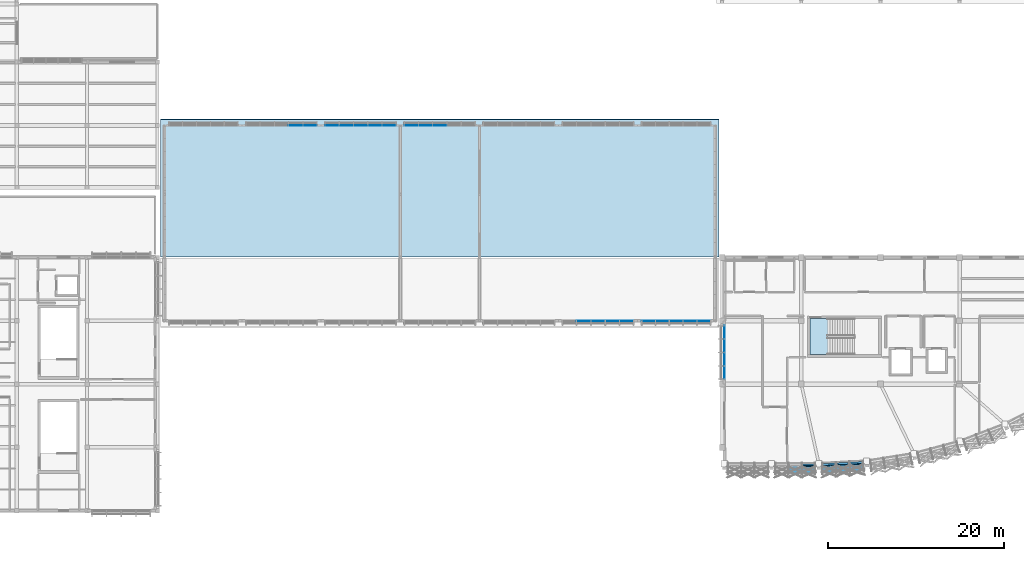
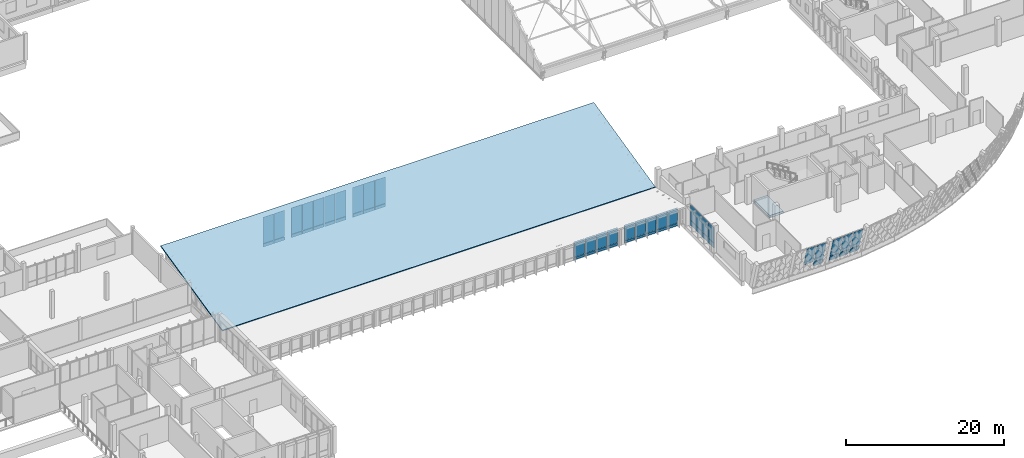
# One storey, part 148 of 182: 55 plates, 2 slabs, 8 elements without a shape of their own.
"""IFC4 building model written with IfcOpenShell, lengths in metres."""

from ifc_helpers import new_model, si_unit, direction, frame, origin, origin_2d, place, context, subcontext, project, spatial, polyline, rectangle, outline, extrude, material, layer, layer_set, type_object, element, aggregate, save


model = new_model("IFC4")

# Units and contexts
model_context = context("Model", 3, precision=1e-05, world=origin(), true_north=direction((0.0, 1.0)))
body_context = subcontext(model_context, "Body", "Model", "MODEL_VIEW")
ifc_project = project(units=[si_unit("LENGTHUNIT", "METRE"), si_unit("AREAUNIT", "SQUARE_METRE"), si_unit("VOLUMEUNIT", "CUBIC_METRE"), si_unit("PLANEANGLEUNIT", "RADIAN"), si_unit("MASSUNIT", "GRAM", prefix="KILO")], contexts=[model_context])

# Site, building, storey
site_placement = place(None, origin())
site = spatial("IfcSite", under=ifc_project, at=site_placement, CompositionType="ELEMENT")
building_placement = place(site_placement, origin())
building = spatial("IfcBuilding", under=site, at=building_placement, Name="Chiffa Square Polytechnic", CompositionType="ELEMENT")
storey_placement = place(building_placement, frame((0.0, 0.0, 9.60009765625)))
storey = spatial("IfcBuildingStorey", under=building, at=storey_placement, Name="L02", CompositionType="ELEMENT", Elevation=9.60009765625)

# Curtain wall, plates
ifc_material_1 = material(Name="Aluminium EN AW-6060 T66 and glulam shading", Category="wood")
curtain_wall_type_1 = type_object("IfcCurtainWallType", Name="CW-VERT-600X380", PredefinedType="USERDEFINED", material=ifc_material_1)
curtain_wall_1_placement = place(storey_placement, origin())
curtain_wall_1 = element("IfcCurtainWall", 1, at=curtain_wall_1_placement, inside=storey, type_object=curtain_wall_type_1, Name="Curtain wall CW-V1-L02-132", ObjectType="CURTAIN WALL", PredefinedType="USERDEFINED")
ifc_material_2 = material(Name="Double glazing", Category="glass")
ifc_layer_1 = layer(ifc_material_2, 0.0439453125, Name="Double glazing")
ifc_layer_set_1 = layer_set([ifc_layer_1], Name="Double glazing")
plate_type_1 = type_object("IfcPlateType", Name="CWP-GLZ-134X118", PredefinedType="CURTAIN_PANEL", material=ifc_layer_set_1)
plate_1_placement = place(storey_placement, frame((112.449951171875, 20.283935546875, 0.84033203125), z_axis=(0.0, 0.0, 1.0), x_axis=(0.0, -1.0, 0.0)))
plate_1 = element("IfcPlate", 2, at=plate_1_placement, type_object=plate_type_1, Name="Glazed curtain panel CW-V1-L02-132-PN01", PredefinedType="CURTAIN_PANEL", context=body_context, shape_type="SweptSolid", body=[
    extrude(rectangle(XDim=1.4560546875, YDim=0.0439453125, at=origin_2d()), origin(), (0.0, 0.0, 1.0), 2.385009765625),
])
plate_2_placement = place(storey_placement, frame((112.449951171875, 18.764892578125, 0.84033203125), z_axis=(0.0, 0.0, 1.0), x_axis=(0.0, -1.0, 0.0)))
plate_2 = element("IfcPlate", 3, at=plate_2_placement, type_object=plate_type_1, Name="Glazed curtain panel CW-V1-L02-132-PN02", PredefinedType="CURTAIN_PANEL", context=body_context, shape_type="SweptSolid", body=[
    extrude(rectangle(XDim=1.47802734375, YDim=0.0439453125, at=origin_2d()), origin(), (0.0, 0.0, 1.0), 2.385009765625),
])
plate_3_placement = place(storey_placement, frame((112.449951171875, 17.235107421875, 0.84033203125), z_axis=(0.0, 0.0, 1.0), x_axis=(0.0, -1.0, 0.0)))
plate_3 = element("IfcPlate", 4, at=plate_3_placement, type_object=plate_type_1, Name="Glazed curtain panel CW-V1-L02-132-PN03", PredefinedType="CURTAIN_PANEL", context=body_context, shape_type="SweptSolid", body=[
    extrude(rectangle(XDim=1.47802734375, YDim=0.0439453125, at=origin_2d()), origin(), (0.0, 0.0, 1.0), 2.385009765625),
])
plate_4_placement = place(storey_placement, frame((112.449951171875, 15.716064453125, 0.84033203125), z_axis=(0.0, 0.0, 1.0), x_axis=(0.0, -1.0, 0.0)))
plate_4 = element("IfcPlate", 5, at=plate_4_placement, type_object=plate_type_1, Name="Glazed curtain panel CW-V1-L02-132-PN04", PredefinedType="CURTAIN_PANEL", context=body_context, shape_type="SweptSolid", body=[
    extrude(rectangle(XDim=1.4560546875, YDim=0.0439453125, at=origin_2d()), origin(), (0.0, 0.0, 1.0), 2.385009765625),
])

curtain_wall_type_2 = type_object("IfcCurtainWallType", Name="CW-PROW-LEAN-150", PredefinedType="USERDEFINED", material=ifc_material_1)
curtain_wall_2_placement = place(storey_placement, origin())
curtain_wall_2 = element("IfcCurtainWall", 6, at=curtain_wall_2_placement, inside=storey, type_object=curtain_wall_type_2, Name="Outward-leaning diamond-fin prow curtain wall CW-V1-L02-029", ObjectType="CURTAIN WALL", PredefinedType="USERDEFINED")
ifc_layer_2 = layer(ifc_material_2, 0.0380859375, Name="Double glazing")
ifc_layer_set_2 = layer_set([ifc_layer_2], Name="Double glazing")
plate_type_2 = type_object("IfcPlateType", Name="CWP-GLZ-146X138", PredefinedType="CURTAIN_PANEL", material=ifc_layer_set_2)
plate_5_placement = place(storey_placement, frame((123.68408203125, 5.12744140625, 0.8779296875), z_axis=(-0.050174829596, 0.960990760673, 0.271991257905), x_axis=(0.998639459823, 0.052146225941, -2.0135237e-05)))
plate_5 = element("IfcPlate", 7, at=plate_5_placement, type_object=plate_type_2, Name="Leaning prow curtain panel CW-V1-L02-029-PN01", PredefinedType="CURTAIN_PANEL", context=body_context, shape_type="SweptSolid", body=[
    extrude(outline(polyline([(0.0, 0.0), (1.4260177168107815, 0.0), (1.410269670917388, -3.135320701511705), (-0.04336205714575059, -3.1352604474957646), (0.0, 0.0)])), origin(), (0.0, 0.0, -1.0), 0.0380859375),
])
plate_6_placement = place(storey_placement, frame((125.218505859375, 5.20751953125, 0.8779296875), z_axis=(-0.050256330617, 0.960989153149, 0.271981890504), x_axis=(0.998635368574, 0.052224521331, 2.024848e-06)))
plate_6 = element("IfcPlate", 8, at=plate_6_placement, type_object=plate_type_2, Name="Leaning prow curtain panel CW-V1-L02-029-PN02", PredefinedType="CURTAIN_PANEL", context=body_context, shape_type="SweptSolid", body=[
    extrude(outline(polyline([(0.0, 0.0), (1.426017720678759, -3.469446951953614e-18), (1.4401034273901945, -3.135279535766211), (-0.013541037374718968, -3.1352855950651453), (0.0, 0.0)])), origin(), (0.0, 0.0, -1.0), 0.0380859375),
])
plate_7_placement = place(storey_placement, frame((126.7529296875, 5.28759765625, 0.8779296875), z_axis=(-0.05017932611, 0.960995289314, 0.271974427378), x_axis=(0.998639211853, 0.052150974065, -2.1317194e-05)))
plate_7 = element("IfcPlate", 9, at=plate_7_placement, type_object=plate_type_2, Name="Leaning prow curtain panel CW-V1-L02-029-PN03", PredefinedType="CURTAIN_PANEL", context=body_context, shape_type="SweptSolid", body=[
    extrude(outline(polyline([(0.0, 0.0), (1.4257739088414023, 6.938893903907228e-18), (1.4699168183265212, -3.1353082563147665), (0.016285090876348336, -3.135244471048417), (0.0, 0.0)])), origin(), (0.0, 0.0, -1.0), 0.0380859375),
])

curtain_wall_type_3 = type_object("IfcCurtainWallType", Name="CW-PROW-LEAN-300", PredefinedType="USERDEFINED", material=ifc_material_1)
curtain_wall_3_placement = place(storey_placement, origin())
curtain_wall_3 = element("IfcCurtainWall", 10, at=curtain_wall_3_placement, inside=storey, type_object=curtain_wall_type_3, Name="Outward-leaning diamond-fin prow curtain wall CW-V1-L02-028", ObjectType="CURTAIN WALL", PredefinedType="USERDEFINED")
ifc_layer_3 = layer(ifc_material_2, 0.0380859375, Name="Double glazing")
ifc_layer_set_3 = layer_set([ifc_layer_3], Name="Double glazing")
plate_type_3 = type_object("IfcPlateType", Name="CWP-GLZ-148X142", PredefinedType="CURTAIN_PANEL", material=ifc_layer_set_3)
plate_8_placement = place(storey_placement, frame((119.814208984375, 5.1015625, 0.8779296875), z_axis=(0.0, 0.96221720847, 0.272283021364), x_axis=(1.0, 0.0, 0.0)))
plate_8 = element("IfcPlate", 11, at=plate_8_placement, type_object=plate_type_3, Name="Leaning prow curtain panel CW-V1-L02-028-PN02", PredefinedType="CURTAIN_PANEL", context=body_context, shape_type="SweptSolid", body=[
    extrude(outline(polyline([(0.0, 0.0), (1.396484375, 0.0), (1.396484375, -3.135560055661421), (0.0, -3.135560055661421), (0.0, 0.0)])), origin(), (0.0, 0.0, -1.0), 0.0380859375),
])
plate_9_placement = place(storey_placement, frame((121.319091796875, 5.1015625, 0.8779296875), z_axis=(0.0, 0.96221720847, 0.272283021364), x_axis=(1.0, 0.0, 0.0)))
plate_9 = element("IfcPlate", 12, at=plate_9_placement, type_object=plate_type_3, Name="Leaning prow curtain panel CW-V1-L02-028-PN03", PredefinedType="CURTAIN_PANEL", context=body_context, shape_type="SweptSolid", body=[
    extrude(outline(polyline([(0.0, 0.0), (1.396728515625, 0.0), (1.396728515625, -3.1355600556614216), (0.0, -3.1355600556614216), (0.0, 0.0)])), origin(), (0.0, 0.0, -1.0), 0.0380859375),
])

curtain_wall_type_4 = type_object("IfcCurtainWallType", Name="CW-VERT-300X380", PredefinedType="USERDEFINED", material=ifc_material_1)
curtain_wall_4_placement = place(storey_placement, origin())
curtain_wall_4 = element("IfcCurtainWall", 13, at=curtain_wall_4_placement, inside=storey, type_object=curtain_wall_type_4, Name="Curtain wall CW-V4-CLRN-02", ObjectType="CURTAIN WALL", PredefinedType="USERDEFINED")
ifc_layer_4 = layer(ifc_material_2, 0.035888671875, Name="Double glazing")
ifc_layer_set_4 = layer_set([ifc_layer_4], Name="Double glazing")
plate_type_4 = type_object("IfcPlateType", Name="CWP-GLZ-150X145", PredefinedType="CURTAIN_PANEL", material=ifc_layer_set_4)
plate_10_placement = place(storey_placement, frame((65.3369140625, 43.800048828125, 0.6103515625), z_axis=(0.0, 0.0, 1.0), x_axis=(-1.0, 0.0, 0.0)))
plate_10 = element("IfcPlate", 14, at=plate_10_placement, type_object=plate_type_4, Name="Glazed curtain panel CW-V4-CLRN-02-PN01", PredefinedType="CURTAIN_PANEL", context=body_context, shape_type="SweptSolid", body=[
    extrude(rectangle(XDim=1.550048828125, YDim=0.035888671875, at=origin_2d()), origin(), (0.0, 0.0, 1.0), 4.0830078125),
])
plate_11_placement = place(storey_placement, frame((63.72412109375, 43.800048828125, 0.6103515625), z_axis=(0.0, 0.0, 1.0), x_axis=(-1.0, 0.0, 0.0)))
plate_11 = element("IfcPlate", 15, at=plate_11_placement, type_object=plate_type_4, Name="Glazed curtain panel CW-V4-CLRN-02-PN02", PredefinedType="CURTAIN_PANEL", context=body_context, shape_type="SweptSolid", body=[
    extrude(rectangle(XDim=1.572021484375, YDim=0.035888671875, at=origin_2d()), origin(), (0.0, 0.0, 1.0), 4.0830078125),
])

curtain_wall_5_placement = place(storey_placement, origin())
curtain_wall_5 = element("IfcCurtainWall", 16, at=curtain_wall_5_placement, inside=storey, type_object=curtain_wall_type_1, Name="Curtain wall CW-V4-CLRN-03", ObjectType="CURTAIN WALL", PredefinedType="USERDEFINED")
plate_12_placement = place(storey_placement, frame((74.3369140625, 43.800048828125, 0.6103515625), z_axis=(0.0, 0.0, 1.0), x_axis=(-1.0, 0.0, 0.0)))
plate_12 = element("IfcPlate", 17, at=plate_12_placement, type_object=plate_type_4, Name="Glazed curtain panel CW-V4-CLRN-03-PN01", PredefinedType="CURTAIN_PANEL", context=body_context, shape_type="SweptSolid", body=[
    extrude(rectangle(XDim=1.550048828125, YDim=0.035888671875, at=origin_2d()), origin(), (0.0, 0.0, 1.0), 4.0830078125),
])
plate_13_placement = place(storey_placement, frame((72.72412109375, 43.800048828125, 0.6103515625), z_axis=(0.0, 0.0, 1.0), x_axis=(-1.0, 0.0, 0.0)))
plate_13 = element("IfcPlate", 18, at=plate_13_placement, type_object=plate_type_4, Name="Glazed curtain panel CW-V4-CLRN-03-PN02", PredefinedType="CURTAIN_PANEL", context=body_context, shape_type="SweptSolid", body=[
    extrude(rectangle(XDim=1.572021484375, YDim=0.035888671875, at=origin_2d()), origin(), (0.0, 0.0, 1.0), 4.0830078125),
])
plate_14_placement = place(storey_placement, frame((71.10009765625, 43.800048828125, 0.6103515625), z_axis=(0.0, 0.0, 1.0), x_axis=(-1.0, 0.0, 0.0)))
plate_14 = element("IfcPlate", 19, at=plate_14_placement, type_object=plate_type_4, Name="Glazed curtain panel CW-V4-CLRN-03-PN03", PredefinedType="CURTAIN_PANEL", context=body_context, shape_type="SweptSolid", body=[
    extrude(rectangle(XDim=1.572021484375, YDim=0.035888671875, at=origin_2d()), origin(), (0.0, 0.0, 1.0), 4.0830078125),
])
plate_15_placement = place(storey_placement, frame((69.47607421875, 43.800048828125, 0.6103515625), z_axis=(0.0, 0.0, 1.0), x_axis=(-1.0, 0.0, 0.0)))
plate_15 = element("IfcPlate", 20, at=plate_15_placement, type_object=plate_type_4, Name="Glazed curtain panel CW-V4-CLRN-03-PN04", PredefinedType="CURTAIN_PANEL", context=body_context, shape_type="SweptSolid", body=[
    extrude(rectangle(XDim=1.572021484375, YDim=0.035888671875, at=origin_2d()), origin(), (0.0, 0.0, 1.0), 4.0830078125),
])
plate_16_placement = place(storey_placement, frame((67.863037109375, 43.800048828125, 0.6103515625), z_axis=(0.0, 0.0, 1.0), x_axis=(-1.0, 0.0, 0.0)))
plate_16 = element("IfcPlate", 21, at=plate_16_placement, type_object=plate_type_4, Name="Glazed curtain panel CW-V4-CLRN-03-PN05", PredefinedType="CURTAIN_PANEL", context=body_context, shape_type="SweptSolid", body=[
    extrude(rectangle(XDim=1.550048828125, YDim=0.035888671875, at=origin_2d()), origin(), (0.0, 0.0, 1.0), 4.0830078125),
])

curtain_wall_type_5 = type_object("IfcCurtainWallType", Name="CW-VERT-360X380", PredefinedType="USERDEFINED", material=ifc_material_1)
curtain_wall_6_placement = place(storey_placement, origin())
curtain_wall_6 = element("IfcCurtainWall", 22, at=curtain_wall_6_placement, inside=storey, type_object=curtain_wall_type_5, Name="Curtain wall CW-V4-CLRN-04", ObjectType="CURTAIN WALL", PredefinedType="USERDEFINED")
plate_17_placement = place(storey_placement, frame((80.10009765625, 43.800048828125, 0.6103515625), z_axis=(0.0, 0.0, 1.0), x_axis=(-1.0, 0.0, 0.0)))
plate_17 = element("IfcPlate", 23, at=plate_17_placement, type_object=plate_type_4, Name="Glazed curtain panel CW-V4-CLRN-04-PN03", PredefinedType="CURTAIN_PANEL", context=body_context, shape_type="SweptSolid", body=[
    extrude(rectangle(XDim=1.572021484375, YDim=0.035888671875, at=origin_2d()), origin(), (0.0, 0.0, 1.0), 4.0830078125),
])
plate_18_placement = place(storey_placement, frame((78.47607421875, 43.800048828125, 0.6103515625), z_axis=(0.0, 0.0, 1.0), x_axis=(-1.0, 0.0, 0.0)))
plate_18 = element("IfcPlate", 24, at=plate_18_placement, type_object=plate_type_4, Name="Glazed curtain panel CW-V4-CLRN-04-PN04", PredefinedType="CURTAIN_PANEL", context=body_context, shape_type="SweptSolid", body=[
    extrude(rectangle(XDim=1.572021484375, YDim=0.035888671875, at=origin_2d()), origin(), (0.0, 0.0, 1.0), 4.0830078125),
])
plate_19_placement = place(storey_placement, frame((76.863037109375, 43.800048828125, 0.6103515625), z_axis=(0.0, 0.0, 1.0), x_axis=(-1.0, 0.0, 0.0)))
plate_19 = element("IfcPlate", 25, at=plate_19_placement, type_object=plate_type_4, Name="Glazed curtain panel CW-V4-CLRN-04-PN05", PredefinedType="CURTAIN_PANEL", context=body_context, shape_type="SweptSolid", body=[
    extrude(rectangle(XDim=1.550048828125, YDim=0.035888671875, at=origin_2d()), origin(), (0.0, 0.0, 1.0), 4.0830078125),
])

curtain_wall_type_6 = type_object("IfcCurtainWallType", Name="CW-VERT-480X380", PredefinedType="USERDEFINED", material=ifc_material_1)
curtain_wall_7_placement = place(storey_placement, origin())
curtain_wall_7 = element("IfcCurtainWall", 26, at=curtain_wall_7_placement, inside=storey, type_object=curtain_wall_type_6, Name="Curtain wall CW-V4-CLRS-06", ObjectType="CURTAIN WALL", PredefinedType="USERDEFINED")
plate_20_placement = place(storey_placement, frame((96.47607421875, 21.60009765625, 0.509765625), z_axis=(0.0, 0.0, 1.0), x_axis=(1.0, 0.0, 0.0)))
plate_20 = element("IfcPlate", 27, at=plate_20_placement, type_object=plate_type_4, Name="Glazed curtain panel CW-V4-CLRS-06-PN02", PredefinedType="CURTAIN_PANEL", context=body_context, shape_type="SweptSolid", body=[
    extrude(rectangle(XDim=1.572021484375, YDim=0.035888671875, at=origin_2d()), origin(), (0.0, 0.0, 1.0), 2.382080078125),
])
plate_21_placement = place(storey_placement, frame((98.10009765625, 21.60009765625, 0.509765625), z_axis=(0.0, 0.0, 1.0), x_axis=(1.0, 0.0, 0.0)))
plate_21 = element("IfcPlate", 28, at=plate_21_placement, type_object=plate_type_4, Name="Glazed curtain panel CW-V4-CLRS-06-PN03", PredefinedType="CURTAIN_PANEL", context=body_context, shape_type="SweptSolid", body=[
    extrude(rectangle(XDim=1.572021484375, YDim=0.035888671875, at=origin_2d()), origin(), (0.0, 0.0, 1.0), 2.382080078125),
])
plate_22_placement = place(storey_placement, frame((99.72412109375, 21.60009765625, 0.509765625), z_axis=(0.0, 0.0, 1.0), x_axis=(1.0, 0.0, 0.0)))
plate_22 = element("IfcPlate", 29, at=plate_22_placement, type_object=plate_type_4, Name="Glazed curtain panel CW-V4-CLRS-06-PN04", PredefinedType="CURTAIN_PANEL", context=body_context, shape_type="SweptSolid", body=[
    extrude(rectangle(XDim=1.572021484375, YDim=0.035888671875, at=origin_2d()), origin(), (0.0, 0.0, 1.0), 2.382080078125),
])
plate_23_placement = place(storey_placement, frame((101.3369140625, 21.60009765625, 0.509765625), z_axis=(0.0, 0.0, 1.0), x_axis=(1.0, 0.0, 0.0)))
plate_23 = element("IfcPlate", 30, at=plate_23_placement, type_object=plate_type_4, Name="Glazed curtain panel CW-V4-CLRS-06-PN05", PredefinedType="CURTAIN_PANEL", context=body_context, shape_type="SweptSolid", body=[
    extrude(rectangle(XDim=1.550048828125, YDim=0.035888671875, at=origin_2d()), origin(), (0.0, 0.0, 1.0), 2.382080078125),
])

curtain_wall_type_7 = type_object("IfcCurtainWallType", Name="CW-VERT-540X440", PredefinedType="USERDEFINED", material=ifc_material_1)
curtain_wall_8_placement = place(storey_placement, origin())
curtain_wall_8 = element("IfcCurtainWall", 31, at=curtain_wall_8_placement, inside=storey, type_object=curtain_wall_type_7, Name="Curtain wall CW-V4-CLRS-07", ObjectType="CURTAIN WALL", PredefinedType="USERDEFINED")
plate_24_placement = place(storey_placement, frame((103.837890625, 21.60009765625, 0.509765625), z_axis=(0.0, 0.0, 1.0), x_axis=(1.0, 0.0, 0.0)))
plate_24 = element("IfcPlate", 32, at=plate_24_placement, type_object=plate_type_4, Name="Glazed curtain panel CW-V4-CLRS-07-PN01", PredefinedType="CURTAIN_PANEL", context=body_context, shape_type="SweptSolid", body=[
    extrude(rectangle(XDim=1.5, YDim=0.035888671875, at=origin_2d()), origin(), (0.0, 0.0, 1.0), 2.382080078125),
])
plate_25_placement = place(storey_placement, frame((105.40087890625, 21.60009765625, 0.509765625), z_axis=(0.0, 0.0, 1.0), x_axis=(1.0, 0.0, 0.0)))
plate_25 = element("IfcPlate", 33, at=plate_25_placement, type_object=plate_type_4, Name="Glazed curtain panel CW-V4-CLRS-07-PN02", PredefinedType="CURTAIN_PANEL", context=body_context, shape_type="SweptSolid", body=[
    extrude(rectangle(XDim=1.52197265625, YDim=0.035888671875, at=origin_2d()), origin(), (0.0, 0.0, 1.0), 2.382080078125),
])
plate_26_placement = place(storey_placement, frame((106.97509765625, 21.60009765625, 0.509765625), z_axis=(0.0, 0.0, 1.0), x_axis=(1.0, 0.0, 0.0)))
plate_26 = element("IfcPlate", 34, at=plate_26_placement, type_object=plate_type_4, Name="Glazed curtain panel CW-V4-CLRS-07-PN03", PredefinedType="CURTAIN_PANEL", context=body_context, shape_type="SweptSolid", body=[
    extrude(rectangle(XDim=1.52197265625, YDim=0.035888671875, at=origin_2d()), origin(), (0.0, 0.0, 1.0), 2.382080078125),
])
plate_27_placement = place(storey_placement, frame((108.549072265625, 21.60009765625, 0.509765625), z_axis=(0.0, 0.0, 1.0), x_axis=(1.0, 0.0, 0.0)))
plate_27 = element("IfcPlate", 35, at=plate_27_placement, type_object=plate_type_4, Name="Glazed curtain panel CW-V4-CLRS-07-PN04", PredefinedType="CURTAIN_PANEL", context=body_context, shape_type="SweptSolid", body=[
    extrude(rectangle(XDim=1.52197265625, YDim=0.035888671875, at=origin_2d()), origin(), (0.0, 0.0, 1.0), 2.382080078125),
])
plate_28_placement = place(storey_placement, frame((110.112060546875, 21.60009765625, 0.509765625), z_axis=(0.0, 0.0, 1.0), x_axis=(1.0, 0.0, 0.0)))
plate_28 = element("IfcPlate", 36, at=plate_28_placement, type_object=plate_type_4, Name="Glazed curtain panel CW-V4-CLRS-07-PN05", PredefinedType="CURTAIN_PANEL", context=body_context, shape_type="SweptSolid", body=[
    extrude(rectangle(XDim=1.5, YDim=0.035888671875, at=origin_2d()), origin(), (0.0, 0.0, 1.0), 2.382080078125),
])

# Plate
ifc_material_3 = material(Name="Aluminium insulated spandrel", Category="aluminium")
ifc_layer_5 = layer(ifc_material_3, 0.072021484375, Name="Aluminium insulated spandrel")
ifc_layer_set_5 = layer_set([ifc_layer_5], Name="Aluminium insulated spandrel")
plate_type_5 = type_object("IfcPlateType", Name="CWP-SPN-136X072", PredefinedType="SHEET", material=ifc_layer_set_5)
plate_29_placement = place(storey_placement, frame((123.683837890625, 5.36181640625, 0.0498046875), z_axis=(-0.050147622769, 0.960983769439, 0.272020974937), x_axis=(0.998641021273, 0.052116316718, -1.2724287e-05)))
plate_29 = element("IfcPlate", 37, at=plate_29_placement, type_object=plate_type_5, Name="Leaning prow curtain panel CW-V1-L02-029-SP01", PredefinedType="SHEET", context=body_context, shape_type="SweptSolid", body=[
    extrude(outline(polyline([(0.0, 0.0), (1.4181903829033562, -3.469446951953614e-18), (1.4143636342692705, -0.8024958510206233), (-0.011153737636751072, -0.802458248943627), (0.0, 0.0)])), origin(), (0.0, 0.0, -1.0), 0.072021484375),
])

plate_30_placement = place(storey_placement, frame((125.210205078125, 5.44140625, 0.0498046875), z_axis=(-0.050153615054, 0.961015974784, 0.271906070375), x_axis=(0.998640805488, 0.052120451661, -1.1548558e-05)))
plate_30 = element("IfcPlate", 38, at=plate_30_placement, type_object=plate_type_5, Name="Leaning prow curtain panel CW-V1-L02-029-SP02", PredefinedType="SHEET", context=body_context, shape_type="SweptSolid", body=[
    extrude(outline(polyline([(0.0, 0.0), (1.418190383175757, 3.469446951953614e-18), (1.4217033514773456, -0.8024671306447446), (-0.0035702113397216638, -0.8024330070893471), (0.0, 0.0)])), origin(), (0.0, 0.0, -1.0), 0.072021484375),
])

plate_31_placement = place(storey_placement, frame((126.736328125, 5.52099609375, 0.0498046875), z_axis=(-0.050231100546, 0.961000265711, 0.271947285043), x_axis=(0.998636216207, 0.052208298526, -3.5273641e-05)))
plate_31 = element("IfcPlate", 39, at=plate_31_placement, type_object=plate_type_5, Name="Leaning prow curtain panel CW-V1-L02-029-SP03", PredefinedType="SHEET", context=body_context, shape_type="SweptSolid", body=[
    extrude(outline(polyline([(0.0, 0.0), (1.418203128166584, -3.469446951953614e-18), (1.4294931681062972, -0.8025121794137333), (0.003975809840539255, -0.8024079425752112), (0.0, 0.0)])), origin(), (0.0, 0.0, -1.0), 0.072021484375),
])

aggregate(curtain_wall_2, [plate_29, plate_5, plate_30, plate_6, plate_31, plate_7])

ifc_layer_6 = layer(ifc_material_3, 0.070068359375, Name="Aluminium insulated spandrel")
ifc_layer_set_6 = layer_set([ifc_layer_6], Name="Aluminium insulated spandrel")
plate_type_6 = type_object("IfcPlateType", Name="CWP-SPN-138X074", PredefinedType="SHEET", material=ifc_layer_set_6)
plate_32_placement = place(storey_placement, frame((121.319091796875, 5.3359375, 0.0498046875), z_axis=(0.0, 0.962221084479, 0.27226932362), x_axis=(1.0, 0.0, 0.0)))
plate_32 = element("IfcPlate", 40, at=plate_32_placement, type_object=plate_type_6, Name="Leaning prow curtain panel CW-V1-L02-028-SP03", PredefinedType="SHEET", context=body_context, shape_type="SweptSolid", body=[
    extrude(outline(polyline([(0.0, 0.0), (1.396728515625, 0.0), (1.396728515625, -0.8025357262808257), (0.0, -0.8025357262808257), (0.0, 0.0)])), origin(), (0.0, 0.0, -1.0), 0.070068359375),
])

aggregate(curtain_wall_3, [plate_8, plate_32, plate_9])

plate_33_placement = place(storey_placement, frame((112.449951171875, 20.283935546875, 0.0498046875), z_axis=(0.0, 0.0, 1.0), x_axis=(0.0, -1.0, 0.0)))
plate_33 = element("IfcPlate", 41, at=plate_33_placement, type_object=plate_type_6, Name="Spandrel panel CW-V1-L02-132-SP01", PredefinedType="SHEET", context=body_context, shape_type="SweptSolid", body=[
    extrude(rectangle(XDim=1.4560546875, YDim=0.070068359375, at=origin_2d()), origin(), (0.0, 0.0, 1.0), 0.75),
])

plate_34_placement = place(storey_placement, frame((112.449951171875, 18.764892578125, 0.0498046875), z_axis=(0.0, 0.0, 1.0), x_axis=(0.0, -1.0, 0.0)))
plate_34 = element("IfcPlate", 42, at=plate_34_placement, type_object=plate_type_6, Name="Spandrel panel CW-V1-L02-132-SP02", PredefinedType="SHEET", context=body_context, shape_type="SweptSolid", body=[
    extrude(rectangle(XDim=1.47802734375, YDim=0.070068359375, at=origin_2d()), origin(), (0.0, 0.0, 1.0), 0.75),
])

plate_35_placement = place(storey_placement, frame((112.449951171875, 17.235107421875, 0.0498046875), z_axis=(0.0, 0.0, 1.0), x_axis=(0.0, -1.0, 0.0)))
plate_35 = element("IfcPlate", 43, at=plate_35_placement, type_object=plate_type_6, Name="Spandrel panel CW-V1-L02-132-SP03", PredefinedType="SHEET", context=body_context, shape_type="SweptSolid", body=[
    extrude(rectangle(XDim=1.47802734375, YDim=0.070068359375, at=origin_2d()), origin(), (0.0, 0.0, 1.0), 0.75),
])

plate_36_placement = place(storey_placement, frame((112.449951171875, 15.716064453125, 0.0498046875), z_axis=(0.0, 0.0, 1.0), x_axis=(0.0, -1.0, 0.0)))
plate_36 = element("IfcPlate", 44, at=plate_36_placement, type_object=plate_type_6, Name="Spandrel panel CW-V1-L02-132-SP04", PredefinedType="SHEET", context=body_context, shape_type="SweptSolid", body=[
    extrude(rectangle(XDim=1.4560546875, YDim=0.070068359375, at=origin_2d()), origin(), (0.0, 0.0, 1.0), 0.75),
])

aggregate(curtain_wall_1, [plate_33, plate_1, plate_34, plate_2, plate_35, plate_3, plate_36, plate_4])

ifc_layer_7 = layer(ifc_material_3, 0.06005859375, Name="Aluminium insulated spandrel")
ifc_layer_set_7 = layer_set([ifc_layer_7], Name="Aluminium insulated spandrel")
plate_type_7 = type_object("IfcPlateType", Name="CWP-SPN-150X095", PredefinedType="SHEET", material=ifc_layer_set_7)
plate_37_placement = place(storey_placement, frame((65.3369140625, 43.800048828125, 0.08984375), z_axis=(0.0, 0.0, 1.0), x_axis=(-1.0, 0.0, 0.0)))
plate_37 = element("IfcPlate", 45, at=plate_37_placement, type_object=plate_type_7, Name="Spandrel panel CW-V4-CLRN-02-SP01", PredefinedType="SHEET", context=body_context, shape_type="SweptSolid", body=[
    extrude(rectangle(XDim=1.550048828125, YDim=0.06005859375, at=origin_2d()), origin(), (0.0, 0.0, 1.0), 0.47998046875),
])

plate_38_placement = place(storey_placement, frame((63.72412109375, 43.800048828125, 0.08984375), z_axis=(0.0, 0.0, 1.0), x_axis=(-1.0, 0.0, 0.0)))
plate_38 = element("IfcPlate", 46, at=plate_38_placement, type_object=plate_type_7, Name="Spandrel panel CW-V4-CLRN-02-SP02", PredefinedType="SHEET", context=body_context, shape_type="SweptSolid", body=[
    extrude(rectangle(XDim=1.572021484375, YDim=0.06005859375, at=origin_2d()), origin(), (0.0, 0.0, 1.0), 0.47998046875),
])

aggregate(curtain_wall_4, [plate_37, plate_10, plate_38, plate_11])

plate_39_placement = place(storey_placement, frame((74.3369140625, 43.800048828125, 0.08984375), z_axis=(0.0, 0.0, 1.0), x_axis=(-1.0, 0.0, 0.0)))
plate_39 = element("IfcPlate", 47, at=plate_39_placement, type_object=plate_type_7, Name="Spandrel panel CW-V4-CLRN-03-SP01", PredefinedType="SHEET", context=body_context, shape_type="SweptSolid", body=[
    extrude(rectangle(XDim=1.550048828125, YDim=0.06005859375, at=origin_2d()), origin(), (0.0, 0.0, 1.0), 0.47998046875),
])

plate_40_placement = place(storey_placement, frame((72.72412109375, 43.800048828125, 0.08984375), z_axis=(0.0, 0.0, 1.0), x_axis=(-1.0, 0.0, 0.0)))
plate_40 = element("IfcPlate", 48, at=plate_40_placement, type_object=plate_type_7, Name="Spandrel panel CW-V4-CLRN-03-SP02", PredefinedType="SHEET", context=body_context, shape_type="SweptSolid", body=[
    extrude(rectangle(XDim=1.572021484375, YDim=0.06005859375, at=origin_2d()), origin(), (0.0, 0.0, 1.0), 0.47998046875),
])

plate_41_placement = place(storey_placement, frame((71.10009765625, 43.800048828125, 0.08984375), z_axis=(0.0, 0.0, 1.0), x_axis=(-1.0, 0.0, 0.0)))
plate_41 = element("IfcPlate", 49, at=plate_41_placement, type_object=plate_type_7, Name="Spandrel panel CW-V4-CLRN-03-SP03", PredefinedType="SHEET", context=body_context, shape_type="SweptSolid", body=[
    extrude(rectangle(XDim=1.572021484375, YDim=0.06005859375, at=origin_2d()), origin(), (0.0, 0.0, 1.0), 0.47998046875),
])

plate_42_placement = place(storey_placement, frame((69.47607421875, 43.800048828125, 0.08984375), z_axis=(0.0, 0.0, 1.0), x_axis=(-1.0, 0.0, 0.0)))
plate_42 = element("IfcPlate", 50, at=plate_42_placement, type_object=plate_type_7, Name="Spandrel panel CW-V4-CLRN-03-SP04", PredefinedType="SHEET", context=body_context, shape_type="SweptSolid", body=[
    extrude(rectangle(XDim=1.572021484375, YDim=0.06005859375, at=origin_2d()), origin(), (0.0, 0.0, 1.0), 0.47998046875),
])

plate_43_placement = place(storey_placement, frame((67.863037109375, 43.800048828125, 0.08984375), z_axis=(0.0, 0.0, 1.0), x_axis=(-1.0, 0.0, 0.0)))
plate_43 = element("IfcPlate", 51, at=plate_43_placement, type_object=plate_type_7, Name="Spandrel panel CW-V4-CLRN-03-SP05", PredefinedType="SHEET", context=body_context, shape_type="SweptSolid", body=[
    extrude(rectangle(XDim=1.550048828125, YDim=0.06005859375, at=origin_2d()), origin(), (0.0, 0.0, 1.0), 0.47998046875),
])

aggregate(curtain_wall_5, [plate_39, plate_12, plate_40, plate_13, plate_41, plate_14, plate_42, plate_15, plate_43, plate_16])

plate_44_placement = place(storey_placement, frame((80.10009765625, 43.800048828125, 0.08984375), z_axis=(0.0, 0.0, 1.0), x_axis=(-1.0, 0.0, 0.0)))
plate_44 = element("IfcPlate", 52, at=plate_44_placement, type_object=plate_type_7, Name="Spandrel panel CW-V4-CLRN-04-SP03", PredefinedType="SHEET", context=body_context, shape_type="SweptSolid", body=[
    extrude(rectangle(XDim=1.572021484375, YDim=0.06005859375, at=origin_2d()), origin(), (0.0, 0.0, 1.0), 0.47998046875),
])

plate_45_placement = place(storey_placement, frame((78.47607421875, 43.800048828125, 0.08984375), z_axis=(0.0, 0.0, 1.0), x_axis=(-1.0, 0.0, 0.0)))
plate_45 = element("IfcPlate", 53, at=plate_45_placement, type_object=plate_type_7, Name="Spandrel panel CW-V4-CLRN-04-SP04", PredefinedType="SHEET", context=body_context, shape_type="SweptSolid", body=[
    extrude(rectangle(XDim=1.572021484375, YDim=0.06005859375, at=origin_2d()), origin(), (0.0, 0.0, 1.0), 0.47998046875),
])

plate_46_placement = place(storey_placement, frame((76.863037109375, 43.800048828125, 0.08984375), z_axis=(0.0, 0.0, 1.0), x_axis=(-1.0, 0.0, 0.0)))
plate_46 = element("IfcPlate", 54, at=plate_46_placement, type_object=plate_type_7, Name="Spandrel panel CW-V4-CLRN-04-SP05", PredefinedType="SHEET", context=body_context, shape_type="SweptSolid", body=[
    extrude(rectangle(XDim=1.550048828125, YDim=0.06005859375, at=origin_2d()), origin(), (0.0, 0.0, 1.0), 0.47998046875),
])

aggregate(curtain_wall_6, [plate_44, plate_17, plate_45, plate_18, plate_46, plate_19])

plate_47_placement = place(storey_placement, frame((96.47607421875, 21.60009765625, 0.08984375), z_axis=(0.0, 0.0, 1.0), x_axis=(1.0, 0.0, 0.0)))
plate_47 = element("IfcPlate", 55, at=plate_47_placement, type_object=plate_type_7, Name="Spandrel panel CW-V4-CLRS-06-SP02", PredefinedType="SHEET", context=body_context, shape_type="SweptSolid", body=[
    extrude(rectangle(XDim=1.572021484375, YDim=0.06005859375, at=origin_2d()), origin(), (0.0, 0.0, 1.0), 0.3798828125),
])

plate_48_placement = place(storey_placement, frame((98.10009765625, 21.60009765625, 0.08984375), z_axis=(0.0, 0.0, 1.0), x_axis=(1.0, 0.0, 0.0)))
plate_48 = element("IfcPlate", 56, at=plate_48_placement, type_object=plate_type_7, Name="Spandrel panel CW-V4-CLRS-06-SP03", PredefinedType="SHEET", context=body_context, shape_type="SweptSolid", body=[
    extrude(rectangle(XDim=1.572021484375, YDim=0.06005859375, at=origin_2d()), origin(), (0.0, 0.0, 1.0), 0.3798828125),
])

plate_49_placement = place(storey_placement, frame((99.72412109375, 21.60009765625, 0.08984375), z_axis=(0.0, 0.0, 1.0), x_axis=(1.0, 0.0, 0.0)))
plate_49 = element("IfcPlate", 57, at=plate_49_placement, type_object=plate_type_7, Name="Spandrel panel CW-V4-CLRS-06-SP04", PredefinedType="SHEET", context=body_context, shape_type="SweptSolid", body=[
    extrude(rectangle(XDim=1.572021484375, YDim=0.06005859375, at=origin_2d()), origin(), (0.0, 0.0, 1.0), 0.3798828125),
])

plate_50_placement = place(storey_placement, frame((101.3369140625, 21.60009765625, 0.08984375), z_axis=(0.0, 0.0, 1.0), x_axis=(1.0, 0.0, 0.0)))
plate_50 = element("IfcPlate", 58, at=plate_50_placement, type_object=plate_type_7, Name="Spandrel panel CW-V4-CLRS-06-SP05", PredefinedType="SHEET", context=body_context, shape_type="SweptSolid", body=[
    extrude(rectangle(XDim=1.550048828125, YDim=0.06005859375, at=origin_2d()), origin(), (0.0, 0.0, 1.0), 0.3798828125),
])

aggregate(curtain_wall_7, [plate_47, plate_20, plate_48, plate_21, plate_49, plate_22, plate_50, plate_23])

plate_51_placement = place(storey_placement, frame((103.837890625, 21.60009765625, 0.08984375), z_axis=(0.0, 0.0, 1.0), x_axis=(1.0, 0.0, 0.0)))
plate_51 = element("IfcPlate", 59, at=plate_51_placement, type_object=plate_type_7, Name="Spandrel panel CW-V4-CLRS-07-SP01", PredefinedType="SHEET", context=body_context, shape_type="SweptSolid", body=[
    extrude(rectangle(XDim=1.5, YDim=0.06005859375, at=origin_2d()), origin(), (0.0, 0.0, 1.0), 0.3798828125),
])

plate_52_placement = place(storey_placement, frame((105.40087890625, 21.60009765625, 0.08984375), z_axis=(0.0, 0.0, 1.0), x_axis=(1.0, 0.0, 0.0)))
plate_52 = element("IfcPlate", 60, at=plate_52_placement, type_object=plate_type_7, Name="Spandrel panel CW-V4-CLRS-07-SP02", PredefinedType="SHEET", context=body_context, shape_type="SweptSolid", body=[
    extrude(rectangle(XDim=1.52197265625, YDim=0.06005859375, at=origin_2d()), origin(), (0.0, 0.0, 1.0), 0.3798828125),
])

plate_53_placement = place(storey_placement, frame((106.97509765625, 21.60009765625, 0.08984375), z_axis=(0.0, 0.0, 1.0), x_axis=(1.0, 0.0, 0.0)))
plate_53 = element("IfcPlate", 61, at=plate_53_placement, type_object=plate_type_7, Name="Spandrel panel CW-V4-CLRS-07-SP03", PredefinedType="SHEET", context=body_context, shape_type="SweptSolid", body=[
    extrude(rectangle(XDim=1.52197265625, YDim=0.06005859375, at=origin_2d()), origin(), (0.0, 0.0, 1.0), 0.3798828125),
])

plate_54_placement = place(storey_placement, frame((108.549072265625, 21.60009765625, 0.08984375), z_axis=(0.0, 0.0, 1.0), x_axis=(1.0, 0.0, 0.0)))
plate_54 = element("IfcPlate", 62, at=plate_54_placement, type_object=plate_type_7, Name="Spandrel panel CW-V4-CLRS-07-SP04", PredefinedType="SHEET", context=body_context, shape_type="SweptSolid", body=[
    extrude(rectangle(XDim=1.52197265625, YDim=0.06005859375, at=origin_2d()), origin(), (0.0, 0.0, 1.0), 0.3798828125),
])

plate_55_placement = place(storey_placement, frame((110.112060546875, 21.60009765625, 0.08984375), z_axis=(0.0, 0.0, 1.0), x_axis=(1.0, 0.0, 0.0)))
plate_55 = element("IfcPlate", 63, at=plate_55_placement, type_object=plate_type_7, Name="Spandrel panel CW-V4-CLRS-07-SP05", PredefinedType="SHEET", context=body_context, shape_type="SweptSolid", body=[
    extrude(rectangle(XDim=1.5, YDim=0.06005859375, at=origin_2d()), origin(), (0.0, 0.0, 1.0), 0.3798828125),
])

aggregate(curtain_wall_8, [plate_51, plate_24, plate_52, plate_25, plate_53, plate_26, plate_54, plate_27, plate_55, plate_28])

# Slabs
ifc_material_4 = material(Name="Concrete C40/50", Category="concrete")
ifc_layer_8 = layer(ifc_material_4, 0.35009765625, Name="Concrete C40/50")
ifc_layer_set_8 = layer_set([ifc_layer_8], Name="Concrete C40/50")
slab_type_1 = type_object("IfcSlabType", Name="SLB-FLR-350", PredefinedType="FLOOR", material=ifc_layer_set_8)
slab_1_placement = place(storey_placement, frame((0.0, 0.0, -0.35009765625)))
element("IfcSlab", 64, at=slab_1_placement, inside=storey, type_object=slab_type_1, Name="Stair core floor landing slab SLB-CORE-CORE-V1A-L02", PredefinedType="FLOOR", context=body_context, shape_type="SweptSolid", body=[
    extrude(outline(polyline([(122.199951171875, 17.75), (124.2119140625, 17.75), (124.2119140625, 21.85009765625), (122.199951171875, 21.85009765625), (122.199951171875, 17.75)])), origin(), (0.0, 0.0, 1.0), 0.35009765625),
])
ifc_material_5 = material(Name="CLT C24", Category="wood")
ifc_layer_9 = layer(ifc_material_5, 0.179931640625, Name="CLT C24")
ifc_layer_set_9 = layer_set([ifc_layer_9], Name="CLT C24")
slab_type_2 = type_object("IfcSlabType", Name="SLB-ROOF-180", PredefinedType="ROOF", material=ifc_layer_set_9)
slab_2_placement = place(storey_placement, frame((48.35009765625, 28.860107421875, 1.349853515625), z_axis=(0.0, -0.225793437425, 0.974175201704), x_axis=(1.0, 0.0, 0.0)))
element("IfcSlab", 65, at=slab_2_placement, inside=storey, type_object=slab_type_2, Name="Refectory north butterfly roof slab SLB-ROOF-V4-N", PredefinedType="ROOF", context=body_context, shape_type="SweptSolid", body=[
    extrude(outline(polyline([(0.0, 0.0), (63.5, 0.0), (63.5, 16.054496717595647), (0.0, 16.054496717595647), (0.0, 0.0)])), origin(), (0.0, 0.0, -1.0), 0.179931640625),
])

save(model, "model.ifc")
